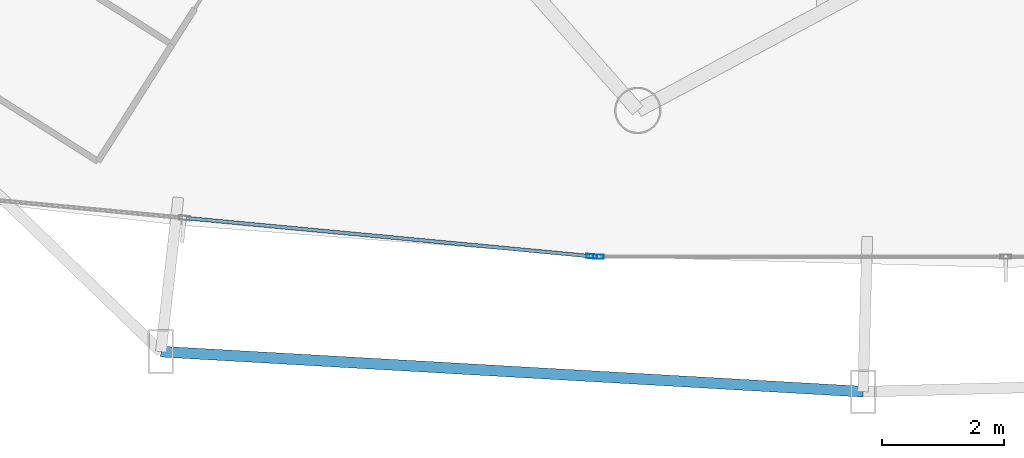
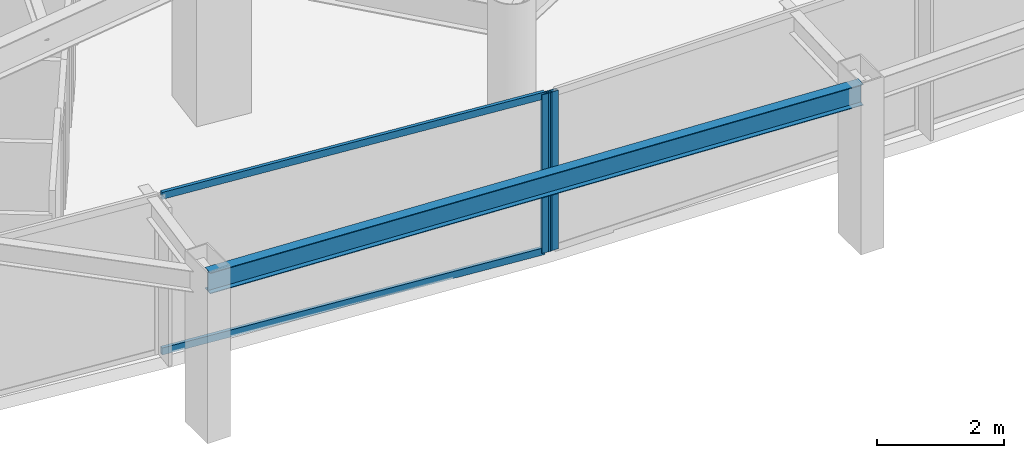
# One storey, part 6 of 35: 4 members, 1 beam, 2 elements without a shape of their own.
"""IFC4 building model written with IfcOpenShell, lengths in metres."""

from ifc_helpers import new_model, si_unit, direction, frame, origin, origin_2d, place, context, subcontext, project, spatial, hollow_rectangle, i_section, extrude, material, layer, layer_set, material_profile, profile_set, type_object, element, aggregate, save


model = new_model("IFC4")

# Units and contexts
model_context = context("Model", 3, precision=1e-05, world=origin(), true_north=direction((0.0, 1.0)))
body_context = subcontext(model_context, "Body", "Model", "MODEL_VIEW")
ifc_project = project(units=[si_unit("LENGTHUNIT", "METRE"), si_unit("AREAUNIT", "SQUARE_METRE"), si_unit("VOLUMEUNIT", "CUBIC_METRE"), si_unit("PLANEANGLEUNIT", "RADIAN"), si_unit("MASSUNIT", "GRAM", prefix="KILO")], contexts=[model_context])

# Site, building, storey
site_placement = place(None, origin())
site = spatial("IfcSite", under=ifc_project, at=site_placement, CompositionType="ELEMENT")
building_placement = place(site_placement, origin())
building = spatial("IfcBuilding", under=site, at=building_placement, Name="Orvanel Arch Residences", CompositionType="ELEMENT")
storey_placement = place(building_placement, frame((0.0, 0.0, 26.89990234375)))
storey = spatial("IfcBuildingStorey", under=building, at=storey_placement, Name="L06", CompositionType="ELEMENT", Elevation=26.89990234375)

# Curtain wall, member
ifc_material_1 = material(Name="Bronze-anodised aluminium AA6063-T6", Category="aluminium")
ifc_layer = layer(ifc_material_1, 0.179931640625)
ifc_layer_set = layer_set([ifc_layer], Name="Bronze-anodised aluminium AA6063-T6")
curtain_wall_type = type_object("IfcCurtainWallType", Name="CW2-LOW-SYS", PredefinedType="NOTDEFINED", material=ifc_layer_set)
curtain_wall_1_placement = place(storey_placement, origin())
curtain_wall_1 = element("IfcCurtainWall", 1, at=curtain_wall_1_placement, inside=storey, type_object=curtain_wall_type, Name="L06 CW2-LOW-SYS Unitised Curtain Wall", PredefinedType="NOTDEFINED")
ifc_material_profile_1 = material_profile(ifc_material_1, hollow_rectangle(XDim=0.070068359375, YDim=0.179931640625, WallThickness=0.00439453125, at=origin_2d()), Name="ALU180x70x4.5")
ifc_profile_set_1 = profile_set([ifc_material_profile_1], Name="Bronze-anodised aluminium AA6063-T6")
member_type_1 = type_object("IfcMemberType", Name="MUL-180x70", PredefinedType="MULLION", material=ifc_profile_set_1)
member_1_placement = place(storey_placement, frame((26.201171875, 1.209228515625, 0.0), z_axis=(0.0, 0.0, 1.0), x_axis=(0.093865833683, 0.995584855885, 0.0)))
member_1 = element("IfcMember", 2, at=member_1_placement, type_object=member_type_1, Name="CW-S2 mullion 3", PredefinedType="MULLION", context=body_context, shape_type="SweptSolid", body=[
    extrude(hollow_rectangle(XDim=0.070068359375, YDim=0.179931640625, WallThickness=0.00439453125, at=origin_2d()), origin(), (0.0, 0.0, 1.0), 3.06005859375),
])

curtain_wall_2_placement = place(storey_placement, origin())
curtain_wall_2 = element("IfcCurtainWall", 3, at=curtain_wall_2_placement, inside=storey, type_object=curtain_wall_type, Name="L06 CW2-LOW-SYS Unitised Curtain Wall", PredefinedType="NOTDEFINED")
member_2_placement = place(storey_placement, frame((26.31103515625, 1.2041015625, 0.0), z_axis=(0.0, 0.0, 1.0), x_axis=(0.0, 1.0, 0.0)))
member_2 = element("IfcMember", 4, at=member_2_placement, type_object=member_type_1, Name="CW-S2 mullion 1", PredefinedType="MULLION", context=body_context, shape_type="SweptSolid", body=[
    extrude(hollow_rectangle(XDim=0.070068359375, YDim=0.179931640625, WallThickness=0.00439453125, at=origin_2d()), origin(), (0.0, 0.0, 1.0), 3.06005859375),
])
aggregate(curtain_wall_2, [member_2])

# Beam
ifc_material_2 = material(Name="Structural steel AS/NZS 3679.1 Grade 300 (300 MPa)", Category="steel")
ifc_material_profile_2 = material_profile(ifc_material_2, i_section(OverallWidth=0.177978515625, OverallDepth=0.406005859375, WebThickness=0.0078125, FlangeThickness=0.0126953125, at=origin_2d()), Name="410UB59.7")
ifc_profile_set_2 = profile_set([ifc_material_profile_2], Name="Structural steel AS/NZS 3679.1 Grade 300 (300 MPa)")
beam_type = type_object("IfcBeamType", Name="OB-410UB-EXT", PredefinedType="SPANDREL", material=ifc_profile_set_2)
beam_placement = place(storey_placement, frame((19.125, -0.35595703125, 2.857177734375), z_axis=(0.99837686655, -0.05695289578, 0.0), x_axis=(0.05695289578, 0.99837686655, 0.0)))
element("IfcBeam", 5, at=beam_placement, inside=storey, type_object=beam_type, Name="L06 Outer Perimeter Floor Ring Beam 05", PredefinedType="SPANDREL", context=body_context, shape_type="SweptSolid", body=[
    extrude(i_section(OverallWidth=0.177978515625, OverallDepth=0.406005859375, WebThickness=0.0078125, FlangeThickness=0.0126953125, at=origin_2d()), origin(), (0.0, 0.0, 1.0), 11.552734375),
])

# Member
ifc_material_profile_3 = material_profile(ifc_material_1, hollow_rectangle(XDim=0.06005859375, YDim=0.135009765625, WallThickness=0.00390625, at=origin_2d()), Name="ALU135x60x4")
ifc_profile_set_3 = profile_set([ifc_material_profile_3], Name="Bronze-anodised aluminium AA6063-T6")
member_type_2 = type_object("IfcMemberType", Name="TRN-135x60", PredefinedType="USERDEFINED", material=ifc_profile_set_3)
member_3_placement = place(storey_placement, frame((19.54638671875, 1.836669921875, 0.030029296875), z_axis=(0.99558643144, -0.093849121105, 0.0), x_axis=(0.093849121105, 0.99558643144, 0.0)))
member_3 = element("IfcMember", 6, at=member_3_placement, type_object=member_type_2, Name="CW-S2 transom 2.1", ObjectType="TRANSOM", PredefinedType="USERDEFINED", context=body_context, shape_type="SweptSolid", body=[
    extrude(hollow_rectangle(XDim=0.06005859375, YDim=0.135009765625, WallThickness=0.00390625, at=origin_2d()), origin(), (0.0, 0.0, 1.0), 6.649169921875),
])

member_4_placement = place(storey_placement, frame((19.54638671875, 1.836669921875, 3.030029296875), z_axis=(0.99558643144, -0.093849121105, 0.0), x_axis=(0.093849121105, 0.99558643144, 0.0)))
member_4 = element("IfcMember", 7, at=member_4_placement, type_object=member_type_2, Name="CW-S2 transom 2.2", ObjectType="TRANSOM", PredefinedType="USERDEFINED", context=body_context, shape_type="SweptSolid", body=[
    extrude(hollow_rectangle(XDim=0.06005859375, YDim=0.135009765625, WallThickness=0.00390625, at=origin_2d()), origin(), (0.0, 0.0, 1.0), 6.649169921875),
])

aggregate(curtain_wall_1, [member_1, member_3, member_4])

save(model, "model.ifc")
